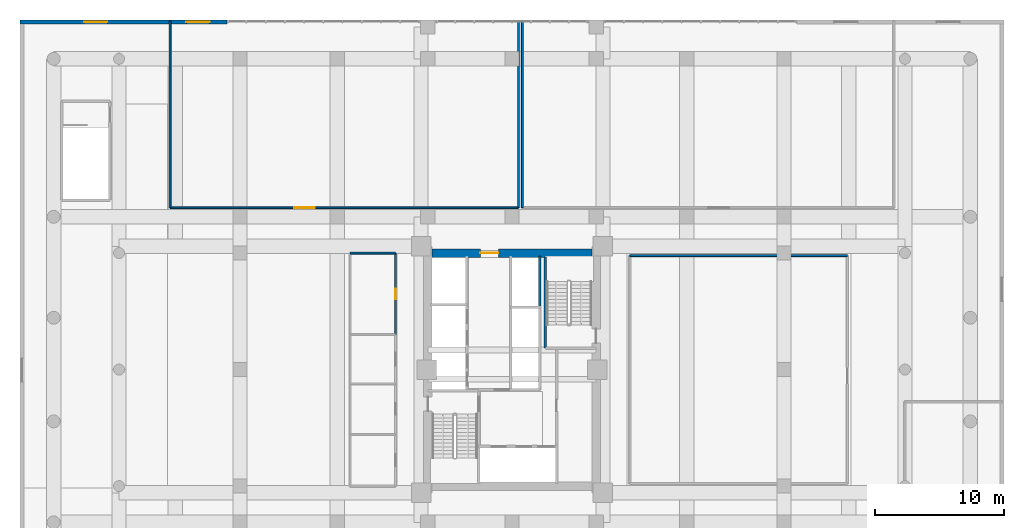
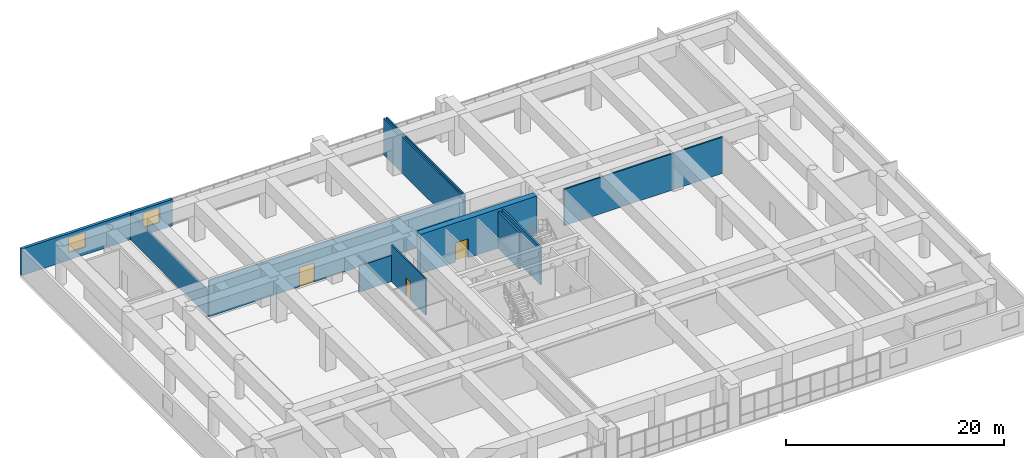
# One storey, part 20 of 28: 11 walls, 3 doors, 2 windows, 5 openings.
"""IFC4 building model written with IfcOpenShell, lengths in metres."""

from ifc_helpers import new_model, si_unit, direction, frame, frame_2d, origin, place, context, subcontext, project, spatial, rectangle, extrude, source, transform, mapped, material, layer, layer_set, type_object, element, fill, save


model = new_model("IFC4")

# Units and contexts
model_context = context("Model", 3, precision=1e-05, world=origin(), true_north=direction((0.0, 1.0)))
body_context = subcontext(model_context, "Body", "Model", "MODEL_VIEW")
ifc_project = project(units=[si_unit("LENGTHUNIT", "METRE"), si_unit("AREAUNIT", "SQUARE_METRE"), si_unit("VOLUMEUNIT", "CUBIC_METRE"), si_unit("PLANEANGLEUNIT", "RADIAN"), si_unit("MASSUNIT", "GRAM", prefix="KILO")], contexts=[model_context])

# Site, building, storey
site_placement = place(None, origin())
site = spatial("IfcSite", under=ifc_project, at=site_placement, CompositionType="ELEMENT")
building_placement = place(site_placement, origin())
building = spatial("IfcBuilding", under=site, at=building_placement, Name="Saelheon Loggia Tower", CompositionType="ELEMENT")
storey_placement = place(building_placement, frame((0.0, 0.0, 15.0)))
storey = spatial("IfcBuildingStorey", under=building, at=storey_placement, Name="L04", CompositionType="ELEMENT", Elevation=15.0)

# Wall, opening, door
ifc_material_1 = material(Name="Concrete C60/75", Category="concrete")
ifc_layer_1 = layer(ifc_material_1, 0.64990234375)
ifc_layer_set_1 = layer_set([ifc_layer_1], Name="Concrete C60/75")
wall_type_1 = type_object("IfcWallType", Name="Wall_CoreShear_650", PredefinedType="SHEAR", material=ifc_layer_set_1)
wall_1_placement = place(storey_placement, frame((31.824951171875, 36.0, 0.0), z_axis=(0.0, 0.0, 1.0), x_axis=(1.0, 0.0, 0.0)))
wall_1 = element("IfcWall", 1, at=wall_1_placement, inside=storey, type_object=wall_type_1, Name="L04 Core Shear Wall North", PredefinedType="SHEAR", context=body_context, shape_type="SweptSolid", body=[
    extrude(rectangle(XDim=12.35009765625, YDim=0.64990234375, at=frame_2d((6.175048828125, 0.0))), origin(), (0.0, 0.0, 1.0), 4.39990234375),
])
opening_1_placement = place(wall_1_placement, frame((5.125, 0.0, 0.0), z_axis=(0.0, 0.0, 1.0), x_axis=(-1.0, 0.0, 0.0)))
opening_1 = element("IfcOpeningElement", 2, at=opening_1_placement, cuts=wall_1, Name="Opening D-FD2L", PredefinedType="OPENING", context=body_context, shape_type="SweptSolid", body=[
    extrude(rectangle(XDim=1.39990234375, YDim=2.14990234375, at=frame_2d((0.699951171875, 1.074951171875))), frame((0.0, 0.3369140625, 0.0), z_axis=(0.0, -1.0, 0.0), x_axis=(1.0, 0.0, 0.0)), (0.0, 0.0, 1.0), 0.673828125),
])
ifc_material_2 = material(Name="Galvanised Steel Glazed Lobby Fire Door", Category="steel")
door_type_1 = type_object("IfcDoorType", Name="Door_Fire_FD60_1400", OperationType="NOTDEFINED", PredefinedType="DOOR", material=ifc_material_2)
shared_shape_1 = source(origin(), body_context, "Body", "SweptSolid", [
    extrude(rectangle(XDim=1.39990234375, YDim=2.14990234375, at=frame_2d((0.699951171875, 1.074951171875))), frame((0.0, 0.02490234375, 0.0), z_axis=(0.0, -1.0, 0.0), x_axis=(1.0, 0.0, 0.0)), (0.0, 0.0, 1.0), 0.050048828125),
])
door_1_placement = place(opening_1_placement, origin())
door_1 = element("IfcDoor", 3, at=door_1_placement, inside=storey, type_object=door_type_1, Name="L04 Passenger Lift Lobby Main Door", OperationType="SINGLE_SWING_RIGHT", OverallHeight=2.14990234375, OverallWidth=1.39990234375, PredefinedType="DOOR", context=body_context, shape_type="MappedRepresentation", body=[
    mapped(shared_shape_1, transform((0.0, 0.0, 0.0), scale=1.0)),
])
fill(opening_1, door_1)

# Wall, openings, windows
ifc_material_3 = material(Name="Architectural Precast Concrete C40/50", Category="concrete")
ifc_layer_2 = layer(ifc_material_3, 0.300048828125)
ifc_layer_set_2 = layer_set([ifc_layer_2], Name="Architectural Precast Concrete C40/50")
wall_type_2 = type_object("IfcWallType", Name="Wall_Ext_Podium_300", PredefinedType="SOLIDWALL", material=ifc_layer_set_2)
wall_2_placement = place(storey_placement, frame((0.0, 53.85009765625, 0.0), z_axis=(0.0, 0.0, 1.0), x_axis=(1.0, 0.0, 0.0)))
wall_2 = element("IfcWall", 4, at=wall_2_placement, inside=storey, type_object=wall_type_2, Name="L04 North-West Precast Wall", PredefinedType="SOLIDWALL", context=body_context, shape_type="SweptSolid", body=[
    extrude(rectangle(XDim=16.0, YDim=0.300048828125, at=frame_2d((8.0, 0.0))), origin(), (0.0, 0.0, 1.0), 2.97998046875),
])
opening_2_placement = place(wall_2_placement, frame((4.955078125, 0.0, 0.85009765625)))
opening_2 = element("IfcOpeningElement", 5, at=opening_2_placement, cuts=wall_2, Name="Opening WN-01", PredefinedType="OPENING", context=body_context, shape_type="SweptSolid", body=[
    extrude(rectangle(XDim=1.800048828125, YDim=1.64990234375, at=frame_2d((0.89990234375, 0.824951171875))), frame((0.0, 0.162109375, 0.0), z_axis=(0.0, -1.0, 0.0), x_axis=(1.0, 0.0, 0.0)), (0.0, 0.0, 1.0), 0.323974609375),
])
opening_3_placement = place(wall_2_placement, frame((12.844970703125, 0.0, 0.85009765625)))
opening_3 = element("IfcOpeningElement", 6, at=opening_3_placement, cuts=wall_2, Name="Opening WN-01", PredefinedType="OPENING", context=body_context, shape_type="SweptSolid", body=[
    extrude(rectangle(XDim=1.800048828125, YDim=1.64990234375, at=frame_2d((0.89990234375, 0.824951171875))), frame((0.0, 0.162109375, 0.0), z_axis=(0.0, -1.0, 0.0), x_axis=(1.0, 0.0, 0.0)), (0.0, 0.0, 1.0), 0.323974609375),
])
ifc_material_4 = material(Name="Thermal-Break Aluminium and Triple Low-E Glass", Category="aluminium")
window_type = type_object("IfcWindowType", Name="Win_Dwelling_1800x1650", PartitioningType="SINGLE_PANEL", PredefinedType="WINDOW", material=ifc_material_4)
shared_shape_2 = source(origin(), body_context, "Body", "SweptSolid", [
    extrude(rectangle(XDim=1.800048828125, YDim=1.64990234375, at=frame_2d((0.89990234375, 0.824951171875))), frame((0.0, 0.030029296875, 0.0), z_axis=(0.0, -1.0, 0.0), x_axis=(1.0, 0.0, 0.0)), (0.0, 0.0, 1.0), 0.06005859375),
])
window_1_placement = place(opening_2_placement, origin())
window_1 = element("IfcWindow", 7, at=window_1_placement, inside=storey, type_object=window_type, Name="L04 NW Dwelling Window 1", OverallHeight=1.64990234375, OverallWidth=1.800048828125, PartitioningType="SINGLE_PANEL", PredefinedType="WINDOW", context=body_context, shape_type="MappedRepresentation", body=[
    mapped(shared_shape_2, transform((0.0, 0.0, 0.0), scale=1.0)),
])
fill(opening_2, window_1)
window_2_placement = place(opening_3_placement, origin())
window_2 = element("IfcWindow", 8, at=window_2_placement, inside=storey, type_object=window_type, Name="L04 NW Dwelling Window 2", OverallHeight=1.64990234375, OverallWidth=1.800048828125, PartitioningType="SINGLE_PANEL", PredefinedType="WINDOW", context=body_context, shape_type="MappedRepresentation", body=[
    mapped(shared_shape_2, transform((0.0, 0.0, 0.0), scale=1.0)),
])
fill(opening_3, window_2)

# Wall, opening, door
ifc_material_5 = material(Name="Lightweight Autoclaved Aerated Concrete Block and Acoustic Gypsum", Category="concrete")
ifc_layer_3 = layer(ifc_material_5, 0.14990234375)
ifc_layer_set_3 = layer_set([ifc_layer_3], Name="Lightweight Autoclaved Aerated Concrete Block and Acoustic Gypsum")
wall_type_3 = type_object("IfcWallType", Name="Wall_Part_150", PredefinedType="PARTITIONING", material=ifc_layer_set_3)
wall_3_placement = place(storey_placement, frame((29.0, 29.699951171875, 0.0), z_axis=(0.0, 0.0, 1.0), x_axis=(0.0, 1.0, 0.0)))
wall_3 = element("IfcWall", 9, at=wall_3_placement, inside=storey, type_object=wall_type_3, Name="PW-L04-WCS-E4", PredefinedType="PARTITIONING", context=body_context, shape_type="SweptSolid", body=[
    extrude(rectangle(XDim=6.300048828125, YDim=0.14990234375, at=frame_2d((3.14990234375, 0.0))), origin(), (0.0, 0.0, 1.0), 4.080078125),
])
opening_4_placement = place(wall_3_placement, frame((2.75, 0.0, 0.0)))
opening_4 = element("IfcOpeningElement", 10, at=opening_4_placement, cuts=wall_3, Name="Opening D-ST1", PredefinedType="OPENING", context=body_context, shape_type="SweptSolid", body=[
    extrude(rectangle(XDim=0.800048828125, YDim=2.050048828125, at=frame_2d((0.39990234375, 1.02490234375))), frame((0.0, 0.0869140625, 0.0), z_axis=(0.0, -1.0, 0.0), x_axis=(1.0, 0.0, 0.0)), (0.0, 0.0, 1.0), 0.173828125),
])
ifc_material_6 = material(Name="Powder-Coated Steel Store Door", Category="steel")
door_type_2 = type_object("IfcDoorType", Name="Door_Store_800", OperationType="NOTDEFINED", PredefinedType="DOOR", material=ifc_material_6)
shared_shape_3 = source(origin(), body_context, "Body", "SweptSolid", [
    extrude(rectangle(XDim=0.800048828125, YDim=2.050048828125, at=frame_2d((0.39990234375, 1.02490234375))), frame((0.0, 0.02490234375, 0.0), z_axis=(0.0, -1.0, 0.0), x_axis=(1.0, 0.0, 0.0)), (0.0, 0.0, 1.0), 0.050048828125),
])
door_2_placement = place(opening_4_placement, origin())
door_2 = element("IfcDoor", 11, at=door_2_placement, inside=storey, type_object=door_type_2, Name="L04 Clinic Janitor Door", OperationType="SINGLE_SWING_RIGHT", OverallHeight=2.050048828125, OverallWidth=0.800048828125, PredefinedType="DOOR", context=body_context, shape_type="MappedRepresentation", body=[
    mapped(shared_shape_3, transform((0.0, 0.0, 0.0), scale=1.0)),
])
fill(opening_4, door_2)

# Wall
wall_4_placement = place(storey_placement, frame((25.5, 36.0, 0.0), z_axis=(0.0, 0.0, 1.0), x_axis=(1.0, 0.0, 0.0)))
element("IfcWall", 12, at=wall_4_placement, inside=storey, type_object=wall_type_3, Name="PW-L04-WCS-N", PredefinedType="PARTITIONING", context=body_context, shape_type="SweptSolid", body=[
    extrude(rectangle(XDim=3.5, YDim=0.14990234375, at=frame_2d((1.75, 0.0))), origin(), (0.0, 0.0, 1.0), 2.93994140625),
])

# Wall, opening, door
wall_5_placement = place(storey_placement, frame((11.60009765625, 39.5, 0.0), z_axis=(0.0, 0.0, 1.0), x_axis=(1.0, 0.0, 0.0)))
wall_5 = element("IfcWall", 13, at=wall_5_placement, inside=storey, type_object=wall_type_3, Name="PW-L04-TEACHK-S", PredefinedType="PARTITIONING", context=body_context, shape_type="SweptSolid", body=[
    extrude(rectangle(XDim=26.89990234375, YDim=0.14990234375, at=frame_2d((13.449951171875, 0.0))), origin(), (0.0, 0.0, 1.0), 4.080078125),
])
opening_5_placement = place(wall_5_placement, frame((9.574951171875, 0.0, 0.0)))
opening_5 = element("IfcOpeningElement", 14, at=opening_5_placement, cuts=wall_5, Name="Opening D-DB1", PredefinedType="OPENING", context=body_context, shape_type="SweptSolid", body=[
    extrude(rectangle(XDim=1.60009765625, YDim=2.14990234375, at=frame_2d((0.800048828125, 1.074951171875))), frame((0.0, 0.0869140625, 0.0), z_axis=(0.0, -1.0, 0.0), x_axis=(1.0, 0.0, 0.0)), (0.0, 0.0, 1.0), 0.173828125),
])
ifc_material_7 = material(Name="Glazed Steel Seminar Double Door", Category="steel")
door_type_3 = type_object("IfcDoorType", Name="Door_Double_1600", OperationType="DOUBLE_SWING_LEFT", PredefinedType="DOOR", material=ifc_material_7)
shared_shape_4 = source(origin(), body_context, "Body", "SweptSolid", [
    extrude(rectangle(XDim=1.60009765625, YDim=2.14990234375, at=frame_2d((0.800048828125, 1.074951171875))), frame((0.0, 0.02490234375, 0.0), z_axis=(0.0, -1.0, 0.0), x_axis=(1.0, 0.0, 0.0)), (0.0, 0.0, 1.0), 0.050048828125),
])
door_3_placement = place(opening_5_placement, origin())
door_3 = element("IfcDoor", 15, at=door_3_placement, inside=storey, type_object=door_type_3, Name="L04 Community Nutrition Demonstration Hall Door", OperationType="DOUBLE_SWING_LEFT", OverallHeight=2.14990234375, OverallWidth=1.60009765625, PredefinedType="DOOR", context=body_context, shape_type="MappedRepresentation", body=[
    mapped(shared_shape_4, transform((0.0, 0.0, 0.0), scale=1.0)),
])
fill(opening_5, door_3)

# Walls
wall_6_placement = place(storey_placement, frame((11.60009765625, 39.5, 0.0), z_axis=(0.0, 0.0, 1.0), x_axis=(0.0, 1.0, 0.0)))
element("IfcWall", 16, at=wall_6_placement, inside=storey, type_object=wall_type_3, Name="PW-L04-TEACHK-W", PredefinedType="PARTITIONING", context=body_context, shape_type="SweptSolid", body=[
    extrude(rectangle(XDim=14.39990234375, YDim=0.14990234375, at=frame_2d((7.199951171875, 0.0))), origin(), (0.0, 0.0, 1.0), 2.93994140625),
])
for number, where, z_axis, x_axis, name in (
    (17, (38.5, 39.5, 0.0), (0.0, 0.0, 1.0), (0.0, 1.0, 0.0), "PW-L04-TEACHK-E"),
    (18, (38.800048828125, 39.5, 0.0), (0.0, 0.0, 1.0), (0.0, 1.0, 0.0), "PW-L04-ADMIN4-W"),
):
    element("IfcWall", number, at=place(storey_placement, frame(where, z_axis=z_axis, x_axis=x_axis)), inside=storey, type_object=wall_type_3, Name=name, PredefinedType="PARTITIONING", context=body_context, shape_type="SweptSolid", body=[
        extrude(rectangle(XDim=14.39990234375, YDim=0.14990234375, at=frame_2d((7.199951171875, 0.0))), origin(), (0.0, 0.0, 1.0), 4.080078125),
    ])
wall_7_placement = place(storey_placement, frame((47.10009765625, 35.800048828125, 0.0), z_axis=(0.0, 0.0, 1.0), x_axis=(1.0, 0.0, 0.0)))
element("IfcWall", 19, at=wall_7_placement, inside=storey, type_object=wall_type_3, Name="PW-L04-MECH4-N", PredefinedType="PARTITIONING", context=body_context, shape_type="SweptSolid", body=[
    extrude(rectangle(XDim=16.7998046875, YDim=0.14990234375, at=frame_2d((8.39990234375, 0.0))), origin(), (0.0, 0.0, 1.0), 4.080078125),
])
ifc_material_8 = material(Name="Concrete C40/50", Category="concrete")
ifc_layer_4 = layer(ifc_material_8, 0.199951171875)
ifc_layer_set_4 = layer_set([ifc_layer_4], Name="Concrete C40/50")
wall_type_4 = type_object("IfcWallType", Name="Wall_Shaft_200", PredefinedType="PARTITIONING", material=ifc_layer_set_4)
wall_8_placement = place(storey_placement, frame((40.14990234375, 31.800048828125, 0.0), z_axis=(0.0, 0.0, 1.0), x_axis=(0.0, 1.0, 0.0)))
element("IfcWall", 20, at=wall_8_placement, inside=storey, type_object=wall_type_4, Name="L04 East High-Rise Hoistway East Wall", PredefinedType="PARTITIONING", context=body_context, shape_type="SweptSolid", body=[
    extrude(rectangle(XDim=3.97998046875, YDim=0.199951171875, at=frame_2d((1.989990234375, 0.0))), origin(), (0.0, 0.0, 1.0), 4.080078125),
])
ifc_material_9 = material(Name="Concrete C45/55", Category="concrete")
ifc_layer_5 = layer(ifc_material_9, 0.199951171875)
ifc_layer_set_5 = layer_set([ifc_layer_5], Name="Concrete C45/55")
wall_type_5 = type_object("IfcWallType", Name="Wall_StairShaft_RC200", PredefinedType="SOLIDWALL", material=ifc_layer_set_5)
wall_9_placement = place(storey_placement, frame((40.570068359375, 28.64990234375, 0.0), z_axis=(0.0, 0.0, 1.0), x_axis=(0.0, 1.0, 0.0)))
element("IfcWall", 21, at=wall_9_placement, inside=storey, type_object=wall_type_5, Name="L04 Stair ST2 Shaft Wall", PredefinedType="SOLIDWALL", context=body_context, shape_type="SweptSolid", body=[
    extrude(rectangle(XDim=7.050048828125, YDim=0.199951171875, at=frame_2d((3.52490234375, 0.0))), origin(), (0.0, 0.0, 1.0), 4.18994140625),
])

save(model, "model.ifc")
